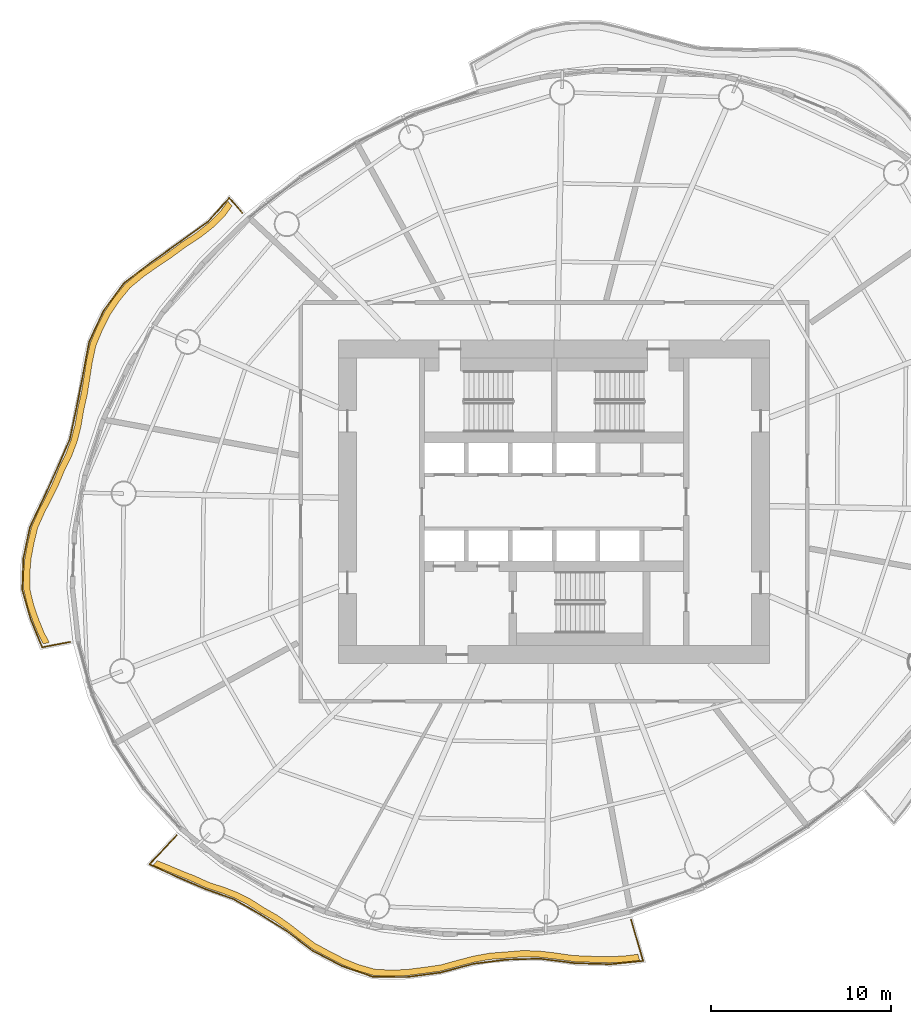
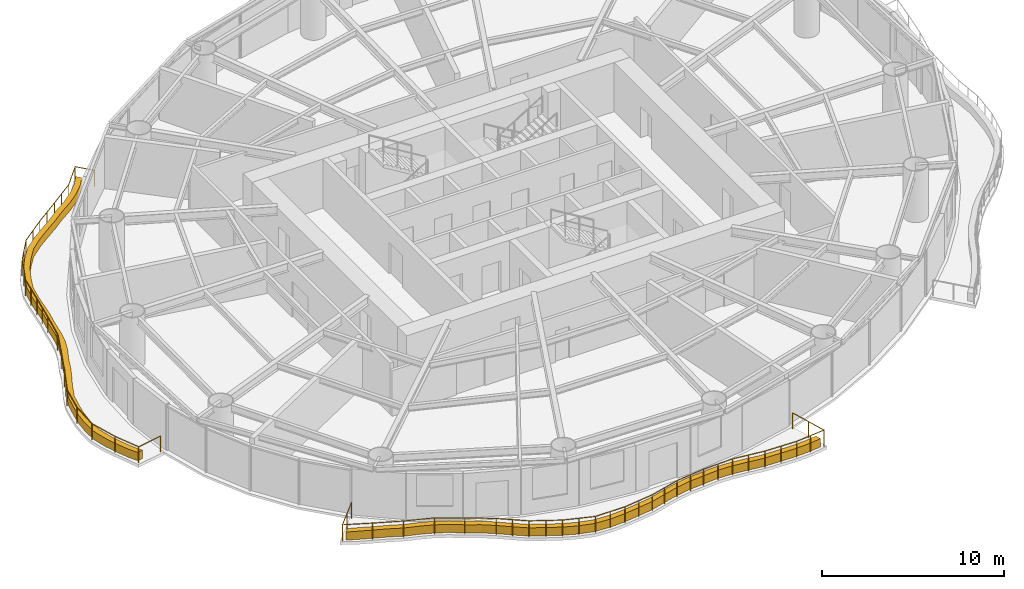
# One storey, part 12 of 14: 2 coverings, 2 railings.
"""IFC4 building model written with IfcOpenShell, lengths in metres."""

import ifcopenshell
import ifcopenshell.guid

model = None  # the IFC model being written
_history = None  # IfcOwnerHistory: only IFC2X3 demands one
_inside = {}  # id of a spatial element -> (the spatial element, [elements in it])
_under = {}  # id of a project, library or spatial element -> (it, [spatial elements below it])
_declared = {}  # id of a project -> (the project, [libraries it declares])
_typed = {}  # id of a type object -> (the type object, [elements of that type])
_made_of = {}  # id of a material, layer set ... -> (it, [elements and type objects made of it])


def new_model(schema):
    """Start an empty IFC model of exactly this schema.

    Asked for "IFC4X3", IfcOpenShell would pick the latest addendum, in which some entities
    have other attributes; the version numbers below select the first issue.
    IFC2X3 requires an IfcOwnerHistory on every rooted entity: one is made here for all.
    """
    global model, _history
    if schema == "IFC4X3":
        model = ifcopenshell.file(schema_version=(4, 3, 0, 0))
    else:
        model = ifcopenshell.file(schema=schema)
    _inside.clear()
    _under.clear()
    _declared.clear()
    _typed.clear()
    _made_of.clear()
    _history = None
    if model.schema == "IFC2X3":
        org = make("IfcOrganization", Name="unknown")
        user = make(
            "IfcPersonAndOrganization",
            ThePerson=make("IfcPerson", FamilyName="unknown"),
            TheOrganization=org,
        )
        app = make(
            "IfcApplication",
            ApplicationDeveloper=org,
            Version="unknown",
            ApplicationFullName="unknown",
            ApplicationIdentifier="unknown",
        )
        _history = make(
            "IfcOwnerHistory",
            OwningUser=user,
            OwningApplication=app,
            ChangeAction="ADDED",
            CreationDate=0,
        )
    return model


def make(cls, **values):
    """One entity of the class cls with the attributes given. An attribute that is None is left unset."""
    return model.create_entity(
        cls, **{name: value for name, value in values.items() if value is not None}
    )


def rooted(cls, **values):
    """An entity with a GlobalId (a new one), such as an element, a storey or a relation."""
    return make(cls, GlobalId=ifcopenshell.guid.new(), OwnerHistory=_history, **values)


def si_unit(unit_type, name, prefix=None):
    """IfcSIUnit, for example si_unit("LENGTHUNIT", "METRE", prefix="MILLI")."""
    return make("IfcSIUnit", UnitType=unit_type, Prefix=prefix, Name=name)


def assignment(units):
    """IfcUnitAssignment: the units of a project."""
    return None if units is None else make("IfcUnitAssignment", Units=units)


def point(xyz):
    """IfcCartesianPoint."""
    return None if xyz is None else make("IfcCartesianPoint", Coordinates=xyz)


def direction(xyz):
    """IfcDirection."""
    return None if xyz is None else make("IfcDirection", DirectionRatios=xyz)


def frame(location, z_axis=None, x_axis=None):
    """IfcAxis2Placement3D, a coordinate frame: its origin and axes. An axis left out is left unset."""
    return make(
        "IfcAxis2Placement3D",
        Location=point(location),
        Axis=direction(z_axis),
        RefDirection=direction(x_axis),
    )


def frame_2d(location, x_axis=None):
    """IfcAxis2Placement2D, a coordinate frame in the plane: its origin and x axis."""
    return make(
        "IfcAxis2Placement2D", Location=point(location), RefDirection=direction(x_axis)
    )


def origin():
    """The frame at (0, 0, 0) with its axes left unset."""
    return frame((0.0, 0.0, 0.0))


def origin_2d():
    """The frame at (0, 0) in the plane with its x axis left unset."""
    return frame_2d((0.0, 0.0))


def place(relative_to, where):
    """IfcLocalPlacement: puts the frame where relative to a parent placement (None: the world)."""
    return make(
        "IfcLocalPlacement", PlacementRelTo=relative_to, RelativePlacement=where
    )


def context(
    kind, dimensions, precision=None, world=None, true_north=None, identifier=None
):
    """IfcGeometricRepresentationContext, for example the 3D "Model" context."""
    return make(
        "IfcGeometricRepresentationContext",
        ContextIdentifier=identifier,
        ContextType=kind,
        CoordinateSpaceDimension=dimensions,
        Precision=precision,
        WorldCoordinateSystem=world,
        TrueNorth=true_north,
    )


def subcontext(parent, identifier, kind, view, scale=None):
    """IfcGeometricRepresentationSubContext, for example "Body" below "Model"."""
    return make(
        "IfcGeometricRepresentationSubContext",
        ContextIdentifier=identifier,
        ContextType=kind,
        ParentContext=parent,
        TargetScale=scale,
        TargetView=view,
    )


def project(units=None, contexts=None):
    """IfcProject with its units and contexts."""
    return rooted(
        "IfcProject",
        Name="project",
        RepresentationContexts=contexts,
        UnitsInContext=assignment(units),
    )


def spatial(cls, under=None, at=None, **own):
    """A site, building, storey or space (cls), placed at a placement, below another one or the project."""
    s = rooted(cls, ObjectPlacement=at, **own)
    if under is not None:
        _under.setdefault(under.id(), (under, []))[1].append(s)
    return s


def polyline(points):
    """IfcPolyline through the points."""
    return make("IfcPolyline", Points=[point(p) for p in points])


def profile(cls, at=None, kind="AREA", **sizes):
    """A parametric profile (cls). Its sizes go by their IFC names, for example OverallWidth=200.0."""
    return make(cls, ProfileType=kind, Position=at, **sizes)


def circle(**sizes):
    """IfcCircleProfileDef."""
    return profile("IfcCircleProfileDef", **sizes)


def outline(outer, holes=None, kind="AREA"):
    """IfcArbitraryClosedProfileDef: a profile drawn as a closed curve; with holes, ...WithVoids."""
    if holes is None:
        return make("IfcArbitraryClosedProfileDef", ProfileType=kind, OuterCurve=outer)
    return make(
        "IfcArbitraryProfileDefWithVoids",
        ProfileType=kind,
        OuterCurve=outer,
        InnerCurves=holes,
    )


def extrude(swept, where, along, depth):
    """IfcExtrudedAreaSolid: the profile swept, set in the frame where, extruded along a direction by depth."""
    return make(
        "IfcExtrudedAreaSolid",
        SweptArea=swept,
        Position=where,
        ExtrudedDirection=direction(along),
        Depth=depth,
    )


def shape(context_of_items, identifier, shape_type, items):
    """IfcShapeRepresentation: the items that make up one representation, for example the "Body"."""
    return make(
        "IfcShapeRepresentation",
        ContextOfItems=context_of_items,
        RepresentationIdentifier=identifier,
        RepresentationType=shape_type,
        Items=items,
    )


def material(Name=None, Category=None):
    """IfcMaterial."""
    return make("IfcMaterial", Name=Name, Category=Category)


def made_of(thing, what):
    """Note that an element or type object is made of a material, layer set ...; save() writes the relation."""
    if what is not None:
        _made_of.setdefault(what.id(), (what, []))[1].append(thing)
    return thing


def type_object(cls, material=None, **own):
    """A type object (cls), such as IfcWallType, which elements share."""
    return made_of(rooted(cls, **own), material)


def element(
    cls,
    number,
    at=None,
    inside=None,
    cuts=None,
    type_object=None,
    material=None,
    context=None,
    identifier="Body",
    shape_type=None,
    held_by="IfcProductDefinitionShape",
    body=None,
    shapes=None,
    **own,
):
    """One element of the class cls, such as IfcWall. Its Tag is "e" and its number.

    at: its placement. inside: the storey or other place that contains it. cuts: it is an
    opening in that element (IfcRelVoidsElement). A single representation is given by context,
    identifier, shape_type and body (its items); several are given by shapes. held_by: the class
    of the entity that holds the representations. save() writes the other relations.
    """
    e = rooted(cls, Tag="e%d" % number, ObjectPlacement=at, **own)
    if body is not None:
        shapes = [shape(context, identifier, shape_type, body)]
    if shapes is not None:
        e.Representation = make(held_by, Representations=shapes)
    if inside is not None:
        _inside.setdefault(inside.id(), (inside, []))[1].append(e)
    if cuts is not None:
        rooted(
            "IfcRelVoidsElement", RelatingBuildingElement=cuts, RelatedOpeningElement=e
        )
    if type_object is not None:
        _typed.setdefault(type_object.id(), (type_object, []))[1].append(e)
    return made_of(e, material)


def aggregate(whole, parts):
    """IfcRelAggregates: a whole, such as a stair, and the parts it consists of."""
    return rooted("IfcRelAggregates", RelatingObject=whole, RelatedObjects=parts)


def save(model, path):
    """Write the relations noted so far, then the file.

    IfcRelAggregates (storeys below a building ...), IfcRelContainedInSpatialStructure (elements
    in a storey), IfcRelDefinesByType, IfcRelAssociatesMaterial and IfcRelDeclares: one each for
    every whole, place, type object, material and project.
    """
    for whole, parts in _under.values():
        aggregate(whole, parts)
    for where, things in _inside.values():
        rooted(
            "IfcRelContainedInSpatialStructure",
            RelatedElements=things,
            RelatingStructure=where,
        )
    for kind, things in _typed.values():
        rooted("IfcRelDefinesByType", RelatedObjects=things, RelatingType=kind)
    for what, things in _made_of.values():
        rooted("IfcRelAssociatesMaterial", RelatedObjects=things, RelatingMaterial=what)
    for by, libraries in _declared.values():
        rooted("IfcRelDeclares", RelatingContext=by, RelatedDefinitions=libraries)
    model.write(path)


model = new_model("IFC4")

# Units and contexts
model_context = context("Model", 3, precision=1e-05, world=origin(), true_north=direction((0.0, 1.0)))
body_context = subcontext(model_context, "Body", "Model", "MODEL_VIEW")
ifc_project = project(units=[si_unit("LENGTHUNIT", "METRE"), si_unit("AREAUNIT", "SQUARE_METRE"), si_unit("VOLUMEUNIT", "CUBIC_METRE"), si_unit("PLANEANGLEUNIT", "RADIAN"), si_unit("MASSUNIT", "GRAM", prefix="KILO")], contexts=[model_context])

# Site, building, storey
site_placement = place(None, origin())
site = spatial("IfcSite", under=ifc_project, at=site_placement, CompositionType="ELEMENT")
building_placement = place(site_placement, origin())
building = spatial("IfcBuilding", under=site, at=building_placement, Name="Vermilion Reach Broadcast Tower", CompositionType="ELEMENT")
storey_placement = place(building_placement, frame((0.0, 0.0, 150.60009765625)))
storey = spatial("IfcBuildingStorey", under=building, at=storey_placement, Name="L35", CompositionType="ELEMENT", Elevation=150.60009765625)

# Coverings
ifc_material_1 = material(Name="Planting soil and greenery")
covering_type = type_object("IfcCoveringType", Name="Balcony PLANTER", PredefinedType="USERDEFINED", material=ifc_material_1)
placement = place(storey_placement, origin())
element("IfcCovering", 1, at=placement, inside=storey, type_object=covering_type, Name="PLANTER L35 group 2", ObjectType="PLANTER", PredefinedType="USERDEFINED", context=body_context, shape_type="SweptSolid", body=[
    extrude(outline(polyline([(-24.15869140625, 16.739501953125), (-24.558837890625, 16.187255859375), (-25.20068359375, 15.546142578125), (-25.917236328125, 14.9814453125), (-26.752685546875, 14.4296875), (-27.55615234375, 13.8349609375), (-28.330322265625, 13.314208984375), (-29.09130859375, 12.78271484375), (-29.8955078125, 12.11181640625), (-30.533203125, 11.31982421875), (-31.015869140625, 10.590087890625), (-31.414306640625, 9.806640625), (-31.81103515625, 8.863525390625), (-32.029296875, 7.87255859375), (-32.164306640625, 6.990234375), (-32.3056640625, 6.111083984375), (-32.519287109375, 5.177978515625), (-32.673095703125, 4.26806640625), (-32.883056640625, 3.46044921875), (-33.1796875, 2.681396484375), (-33.584228515625, 1.850830078125), (-33.931640625, 1.005859375), (-34.306884765625, 0.249755859375), (-34.695556640625, -0.503662109375), (-35.095947265625, -1.408447265625), (-35.31298828125, -2.343017578125), (-35.46044921875, -3.129638671875), (-35.530029296875, -3.919189453125), (-35.5244140625, -4.891357421875), (-35.301513671875, -5.827392578125), (-35.0380859375, -6.578125), (-34.734619140625, -7.324462890625), (-34.434814453125, -7.898193359375), (-34.091064453125, -7.833251953125), (-34.38671875, -7.2861328125), (-34.6904296875, -6.539794921875), (-34.95361328125, -5.788818359375), (-35.174560546875, -4.87890625), (-35.18017578125, -3.932861328125), (-35.11083984375, -3.143310546875), (-34.96337890625, -2.356689453125), (-34.748046875, -1.447021484375), (-34.351318359375, -0.56689453125), (-33.962646484375, 0.186767578125), (-33.58740234375, 0.94287109375), (-33.2451171875, 1.7646484375), (-32.846923828125, 2.572265625), (-32.55029296875, 3.3515625), (-32.340576171875, 4.1591796875), (-32.1943359375, 5.0478515625), (-31.98974609375, 5.96044921875), (-31.848388671875, 6.839599609375), (-31.71337890625, 7.721923828125), (-31.5048828125, 8.69384765625), (-31.119140625, 9.61865234375), (-30.720703125, 10.402099609375), (-30.238037109375, 11.1318359375), (-29.61181640625, 11.90673828125), (-28.820068359375, 12.5615234375), (-28.05908203125, 13.093017578125), (-27.284912109375, 13.61376953125), (-26.494384765625, 14.193603515625), (-25.672607421875, 14.731201171875), (-24.9560546875, 15.2958984375), (-24.314208984375, 15.936767578125), (-23.92822265625, 16.47607421875), (-24.15869140625, 16.739501953125)])), origin(), (0.0, 0.0, 1.0), 0.5498046875),
])
element("IfcCovering", 2, at=placement, inside=storey, type_object=covering_type, Name="PLANTER L35 group 3", ObjectType="PLANTER", PredefinedType="USERDEFINED", context=body_context, shape_type="SweptSolid", body=[
    extrude(outline(polyline([(-28.327880859375, -20.22802734375), (-27.703857421875, -20.489990234375), (-26.95947265625, -20.80078125), (-26.20703125, -21.101318359375), (-25.382080078125, -21.479248046875), (-24.513427734375, -21.7685546875), (-23.76708984375, -22.06005859375), (-23.0595703125, -22.418212890625), (-22.326904296875, -22.887451171875), (-21.54736328125, -23.330322265625), (-20.864990234375, -23.807373046875), (-20.19921875, -24.325439453125), (-19.422119140625, -24.906005859375), (-18.55029296875, -25.371826171875), (-17.7900390625, -25.761474609375), (-17.01220703125, -26.08203125), (-16.060546875, -26.357177734375), (-15.04833984375, -26.416748046875), (-14.18212890625, -26.370849609375), (-13.3076171875, -26.2587890625), (-12.32177734375, -26.122802734375), (-11.339111328125, -25.85888671875), (-10.464599609375, -25.630615234375), (-9.590087890625, -25.470458984375), (-8.65380859375, -25.401123046875), (-7.7021484375, -25.322021484375), (-6.7998046875, -25.34912109375), (-5.887939453125, -25.455322265625), (-4.875732421875, -25.597412109375), (-3.837158203125, -25.63330078125), (-2.899169921875, -25.65869140625), (-1.977294921875, -25.615478515625), (-1.23876953125, -25.51611328125), (-1.337646484375, -25.180419921875), (-2.0576171875, -25.27490234375), (-2.979248046875, -25.318115234375), (-3.917236328125, -25.292724609375), (-4.9365234375, -25.2529296875), (-5.929443359375, -25.107666015625), (-6.841064453125, -25.001708984375), (-7.743408203125, -24.974365234375), (-8.6748046875, -25.0517578125), (-9.590576171875, -25.120361328125), (-10.46533203125, -25.28076171875), (-11.33984375, -25.5087890625), (-12.301025390625, -25.7734375), (-13.265625, -25.9111328125), (-14.139892578125, -26.0234375), (-15.00634765625, -26.0693359375), (-15.99609375, -26.01318359375), (-16.926025390625, -25.742919921875), (-17.703857421875, -25.42236328125), (-18.464111328125, -25.032470703125), (-19.31298828125, -24.5732421875), (-20.068115234375, -24.0009765625), (-20.73388671875, -23.48291015625), (-21.416259765625, -23.005859375), (-22.173095703125, -22.572998046875), (-22.8837890625, -22.11572265625), (-23.59130859375, -21.75732421875), (-24.33740234375, -21.4658203125), (-25.184326171875, -21.1904296875), (-25.98828125, -20.828369140625), (-26.74072265625, -20.527587890625), (-27.485107421875, -20.216796875), (-28.088623046875, -19.972412109375), (-28.327880859375, -20.22802734375)])), origin(), (0.0, 0.0, 1.0), 0.5498046875),
])

# Railings
ifc_material_2 = material(Name="Stainless steel 316 balustrade", Category="steel")
railing_type = type_object("IfcRailingType", Name="Balcony guard 1100", PredefinedType="BALUSTRADE", material=ifc_material_2)
railing_1_placement = place(storey_placement, frame((-23.34765625, 16.085693359375, 0.0)))
element("IfcRailing", 3, at=railing_1_placement, inside=storey, type_object=railing_type, Name="Balcony guard L35 group 2", PredefinedType="BALUSTRADE", context=body_context, shape_type="SweptSolid", body=[
    extrude(circle(Radius=0.02490234375, at=origin_2d()), frame((0.0, 0.0, 1.0751953125), z_axis=(-0.658628487529, 0.752468281999, 0.0), x_axis=(-0.752468281999, -0.658628487529, 0.0)), (0.0, 0.0, 1.0), 1.1162109375),
    extrude(circle(Radius=0.02490234375, at=origin_2d()), frame((-0.735107421875, 0.83984375, 1.0751953125), z_axis=(-0.66388375835, -0.747835781037, 0.0), x_axis=(0.747835781037, -0.66388375835, 0.0)), (0.0, 0.0, 1.0), 1.76806640625),
    extrude(circle(Radius=0.02490234375, at=origin_2d()), frame((-1.908935546875, -0.482421875, 1.0751953125), z_axis=(-0.811558505752, -0.584271162854, 0.0), x_axis=(0.584271162854, -0.811558505752, 0.0)), (0.0, 0.0, 1.0), 1.916259765625),
    extrude(circle(Radius=0.02490234375, at=origin_2d()), frame((-3.464111328125, -1.60205078125, 1.0751953125), z_axis=(-0.816187977244, -0.577786453461, 0.0), x_axis=(0.577786453461, -0.816187977244, 0.0)), (0.0, 0.0, 1.0), 1.9365234375),
    extrude(circle(Radius=0.02490234375, at=origin_2d()), frame((-5.044677734375, -2.720947265625, 1.0751953125), z_axis=(-0.792623989105, -0.60971076085, 0.0), x_axis=(0.60971076085, -0.792623989105, 0.0)), (0.0, 0.0, 1.0), 1.97802734375),
    extrude(circle(Radius=0.02490234375, at=origin_2d()), frame((-6.612548828125, -3.927001953125, 1.0751953125), z_axis=(-0.592820911064, -0.80533432027, 0.0), x_axis=(0.80533432027, -0.592820911064, 0.0)), (0.0, 0.0, 1.0), 1.89453125),
    extrude(circle(Radius=0.02490234375, at=origin_2d()), frame((-7.735595703125, -5.45263671875, 1.0751953125), z_axis=(-0.41865194428, -0.908146766525, 0.0), x_axis=(0.908146766525, -0.41865194428, 0.0)), (0.0, 0.0, 1.0), 1.90576171875),
    extrude(circle(Radius=0.02490234375, at=origin_2d()), frame((-8.533447265625, -7.183349609375, 1.0751953125), z_axis=(-0.186031689527, -0.982543744823, 0.0), x_axis=(0.982543744823, -0.186031689527, 0.0)), (0.0, 0.0, 1.0), 1.910888671875),
    extrude(circle(Radius=0.02490234375, at=origin_2d()), frame((-8.888916015625, -9.060791015625, 1.0751953125), z_axis=(-0.192743037291, -0.981249265771, 0.0), x_axis=(0.981249265771, -0.192743037291, 0.0)), (0.0, 0.0, 1.0), 1.851806640625),
    extrude(circle(Radius=0.02490234375, at=origin_2d()), frame((-9.245849609375, -10.8779296875, 1.0751953125), z_axis=(-0.207568540549, -0.978220476669, 0.0), x_axis=(0.978220476669, -0.207568540549, 0.0)), (0.0, 0.0, 1.0), 1.7607421875),
    extrude(circle(Radius=0.02490234375, at=origin_2d()), frame((-9.611328125, -12.600341796875, 1.0751953125), z_axis=(-0.39911639981, -0.916900266879, 0.0), x_axis=(0.916900266879, -0.39911639981, 0.0)), (0.0, 0.0, 1.0), 1.760986328125),
    extrude(circle(Radius=0.02490234375, at=origin_2d()), frame((-10.314208984375, -14.215087890625, 1.0751953125), z_axis=(-0.410762238275, -0.91174249852, 0.0), x_axis=(0.91174249852, -0.410762238275, 0.0)), (0.0, 0.0, 1.0), 1.76171875),
    extrude(circle(Radius=0.02490234375, at=origin_2d()), frame((-11.037841796875, -15.8212890625, 1.0751953125), z_axis=(-0.428775622126, -0.903411017129, 0.0), x_axis=(0.903411017129, -0.428775622126, 0.0)), (0.0, 0.0, 1.0), 1.842041015625),
    extrude(circle(Radius=0.02490234375, at=origin_2d()), frame((-11.82763671875, -17.4853515625, 1.0751953125), z_axis=(-0.206930583697, -0.978355627331, 0.0), x_axis=(0.978355627331, -0.206930583697, 0.0)), (0.0, 0.0, 1.0), 1.764892578125),
    extrude(circle(Radius=0.02490234375, at=origin_2d()), frame((-12.19287109375, -19.212158203125, 1.0751953125), z_axis=(-0.036026321767, -0.999350841366, 0.0), x_axis=(0.999350841366, -0.036026321767, 0.0)), (0.0, 0.0, 1.0), 1.768798828125),
    extrude(circle(Radius=0.02490234375, at=origin_2d()), frame((-12.256591796875, -20.979736328125, 1.0751953125), z_axis=(0.276240211972, -0.961088625096, 0.0), x_axis=(0.961088625096, 0.276240211972, 0.0)), (0.0, 0.0, 1.0), 1.761474609375),
    extrude(circle(Radius=0.02490234375, at=origin_2d()), frame((-11.77001953125, -22.672607421875, 1.0751953125), z_axis=(0.382859085086, -0.923806755208, 0.0), x_axis=(0.923806755208, 0.382859085086, 0.0)), (0.0, 0.0, 1.0), 1.629150390625),
    extrude(circle(Radius=0.02490234375, at=origin_2d()), frame((-11.146240234375, -24.177734375, 1.0751953125), z_axis=(0.982522408787, 0.186144342466, 0.0), x_axis=(-0.186144342466, 0.982522408787, 0.0)), (0.0, 0.0, 1.0), 1.58837890625),
    extrude(circle(Radius=0.02490234375, at=origin_2d()), origin(), (0.0, 0.0, 1.0), 1.050048828125),
    extrude(circle(Radius=0.02490234375, at=origin_2d()), frame((-0.735107421875, 0.83984375, 0.0)), (0.0, 0.0, 1.0), 1.050048828125),
    extrude(circle(Radius=0.02490234375, at=origin_2d()), frame((-1.908935546875, -0.482421875, 0.0)), (0.0, 0.0, 1.0), 1.050048828125),
    extrude(circle(Radius=0.02490234375, at=origin_2d()), frame((-2.6865234375, -1.042236328125, 0.0)), (0.0, 0.0, 1.0), 1.050048828125),
    extrude(circle(Radius=0.02490234375, at=origin_2d()), frame((-3.464111328125, -1.60205078125, 0.0)), (0.0, 0.0, 1.0), 1.050048828125),
    extrude(circle(Radius=0.02490234375, at=origin_2d()), frame((-4.25439453125, -2.16162109375, 0.0)), (0.0, 0.0, 1.0), 1.050048828125),
    extrude(circle(Radius=0.02490234375, at=origin_2d()), frame((-5.044677734375, -2.720947265625, 0.0)), (0.0, 0.0, 1.0), 1.050048828125),
    extrude(circle(Radius=0.02490234375, at=origin_2d()), frame((-5.82861328125, -3.323974609375, 0.0)), (0.0, 0.0, 1.0), 1.050048828125),
    extrude(circle(Radius=0.02490234375, at=origin_2d()), frame((-6.612548828125, -3.927001953125, 0.0)), (0.0, 0.0, 1.0), 1.050048828125),
    extrude(circle(Radius=0.02490234375, at=origin_2d()), frame((-7.174072265625, -4.68994140625, 0.0)), (0.0, 0.0, 1.0), 1.050048828125),
    extrude(circle(Radius=0.02490234375, at=origin_2d()), frame((-7.735595703125, -5.45263671875, 0.0)), (0.0, 0.0, 1.0), 1.050048828125),
    extrude(circle(Radius=0.02490234375, at=origin_2d()), frame((-8.134521484375, -6.31787109375, 0.0)), (0.0, 0.0, 1.0), 1.050048828125),
    extrude(circle(Radius=0.02490234375, at=origin_2d()), frame((-8.533447265625, -7.183349609375, 0.0)), (0.0, 0.0, 1.0), 1.050048828125),
    extrude(circle(Radius=0.02490234375, at=origin_2d()), frame((-8.711181640625, -8.1220703125, 0.0)), (0.0, 0.0, 1.0), 1.050048828125),
    extrude(circle(Radius=0.02490234375, at=origin_2d()), frame((-8.888916015625, -9.060791015625, 0.0)), (0.0, 0.0, 1.0), 1.050048828125),
    extrude(circle(Radius=0.02490234375, at=origin_2d()), frame((-9.0673828125, -9.96923828125, 0.0)), (0.0, 0.0, 1.0), 1.050048828125),
    extrude(circle(Radius=0.02490234375, at=origin_2d()), frame((-9.245849609375, -10.8779296875, 0.0)), (0.0, 0.0, 1.0), 1.050048828125),
    extrude(circle(Radius=0.02490234375, at=origin_2d()), frame((-9.611328125, -12.600341796875, 0.0)), (0.0, 0.0, 1.0), 1.050048828125),
    extrude(circle(Radius=0.02490234375, at=origin_2d()), frame((-10.314208984375, -14.215087890625, 0.0)), (0.0, 0.0, 1.0), 1.050048828125),
    extrude(circle(Radius=0.02490234375, at=origin_2d()), frame((-11.037841796875, -15.8212890625, 0.0)), (0.0, 0.0, 1.0), 1.050048828125),
    extrude(circle(Radius=0.02490234375, at=origin_2d()), frame((-11.4326171875, -16.6533203125, 0.0)), (0.0, 0.0, 1.0), 1.050048828125),
    extrude(circle(Radius=0.02490234375, at=origin_2d()), frame((-11.82763671875, -17.4853515625, 0.0)), (0.0, 0.0, 1.0), 1.050048828125),
    extrude(circle(Radius=0.02490234375, at=origin_2d()), frame((-12.19287109375, -19.212158203125, 0.0)), (0.0, 0.0, 1.0), 1.050048828125),
    extrude(circle(Radius=0.02490234375, at=origin_2d()), frame((-12.256591796875, -20.979736328125, 0.0)), (0.0, 0.0, 1.0), 1.050048828125),
    extrude(circle(Radius=0.02490234375, at=origin_2d()), frame((-11.77001953125, -22.672607421875, 0.0)), (0.0, 0.0, 1.0), 1.050048828125),
    extrude(circle(Radius=0.02490234375, at=origin_2d()), frame((-11.146240234375, -24.177734375, 0.0)), (0.0, 0.0, 1.0), 1.050048828125),
    extrude(circle(Radius=0.02490234375, at=origin_2d()), frame((-9.585693359375, -23.882080078125, 0.0)), (0.0, 0.0, 1.0), 1.050048828125),
])
railing_2_placement = place(storey_placement, frame((-27.014404296875, -18.56298828125, 0.0)))
element("IfcRailing", 4, at=railing_2_placement, inside=storey, type_object=railing_type, Name="Balcony guard L35 group 3", PredefinedType="BALUSTRADE", context=body_context, shape_type="SweptSolid", body=[
    extrude(circle(Radius=0.02490234375, at=origin_2d()), frame((0.0, 0.0, 1.0751953125), z_axis=(-0.683609898867, -0.729847591056, 0.0), x_axis=(0.729847591056, -0.683609898867, 0.0)), (0.0, 0.0, 1.0), 2.20703125),
    extrude(circle(Radius=0.02490234375, at=origin_2d()), frame((-1.5087890625, -1.61083984375, 1.0751953125), z_axis=(0.910099854312, -0.41438901431, 0.0), x_axis=(0.41438901431, 0.910099854312, 0.0)), (0.0, 0.0, 1.0), 1.6630859375),
    extrude(circle(Radius=0.02490234375, at=origin_2d()), frame((0.0048828125, -2.300048828125, 1.0751953125), z_axis=(0.918300108372, -0.395884971886, 0.0), x_axis=(0.395884971886, 0.918300108372, 0.0)), (0.0, 0.0, 1.0), 1.72314453125),
    extrude(circle(Radius=0.02490234375, at=origin_2d()), frame((1.587158203125, -2.982177734375, 1.0751953125), z_axis=(0.940733682798, -0.33914618979, 0.0), x_axis=(0.33914618979, 0.940733682798, 0.0)), (0.0, 0.0, 1.0), 1.721923828125),
    extrude(circle(Radius=0.02490234375, at=origin_2d()), frame((3.20703125, -3.566162109375, 1.0751953125), z_axis=(0.867123043937, -0.498093993814, 0.0), x_axis=(0.498093993814, 0.867123043937, 0.0)), (0.0, 0.0, 1.0), 1.66650390625),
    extrude(circle(Radius=0.02490234375, at=origin_2d()), frame((4.652099609375, -4.396240234375, 1.0751953125), z_axis=(0.846618414709, -0.532200394471, 0.0), x_axis=(0.532200394471, 0.846618414709, 0.0)), (0.0, 0.0, 1.0), 1.733154296875),
    extrude(circle(Radius=0.02490234375, at=origin_2d()), frame((6.119384765625, -5.318603515625, 1.0751953125), z_axis=(0.796247542896, -0.604970950073, 0.0), x_axis=(0.604970950073, 0.796247542896, 0.0)), (0.0, 0.0, 1.0), 1.81884765625),
    extrude(circle(Radius=0.02490234375, at=origin_2d()), frame((7.567626953125, -6.4189453125, 1.0751953125), z_axis=(0.885893592874, -0.463888501802, 0.0), x_axis=(0.463888501802, 0.885893592874, 0.0)), (0.0, 0.0, 1.0), 1.847900390625),
    extrude(circle(Radius=0.02490234375, at=origin_2d()), frame((9.20458984375, -7.276123046875, 1.0751953125), z_axis=(0.945618812252, -0.325276900372, 0.0), x_axis=(0.325276900372, 0.945618812252, 0.0)), (0.0, 0.0, 1.0), 1.83447265625),
    extrude(circle(Radius=0.02490234375, at=origin_2d()), frame((10.939208984375, -7.872802734375, 1.0751953125), z_axis=(0.999969760059, -0.007776822502, 0.0), x_axis=(0.007776822502, 0.999969760059, 0.0)), (0.0, 0.0, 1.0), 1.883544921875),
    extrude(circle(Radius=0.02490234375, at=origin_2d()), frame((12.82275390625, -7.887451171875, 1.0751953125), z_axis=(0.991290115801, 0.131696265384, 0.0), x_axis=(-0.131696265384, 0.991290115801, 0.0)), (0.0, 0.0, 1.0), 1.881591796875),
    extrude(circle(Radius=0.02490234375, at=origin_2d()), frame((14.68798828125, -7.6396484375, 1.0751953125), z_axis=(0.966819509451, 0.255460439489, 0.0), x_axis=(-0.255460439489, 0.966819509451, 0.0)), (0.0, 0.0, 1.0), 1.92578125),
    extrude(circle(Radius=0.02490234375, at=origin_2d()), frame((16.5498046875, -7.147705078125, 1.0751953125), z_axis=(0.992089992996, 0.125528665243, 0.0), x_axis=(-0.125528665243, 0.992089992996, 0.0)), (0.0, 0.0, 1.0), 1.830078125),
    extrude(circle(Radius=0.02490234375, at=origin_2d()), frame((18.365478515625, -6.91796875, 1.0751953125), z_axis=(0.999601456641, 0.028229911097, 0.0), x_axis=(-0.028229911097, 0.999601456641, 0.0)), (0.0, 0.0, 1.0), 1.859375),
    extrude(circle(Radius=0.02490234375, at=origin_2d()), frame((20.22412109375, -6.865478515625, 1.0751953125), z_axis=(0.99184507478, -0.127449392442, 0.0), x_axis=(0.127449392442, 0.99184507478, 0.0)), (0.0, 0.0, 1.0), 1.9443359375),
    extrude(circle(Radius=0.02490234375, at=origin_2d()), frame((22.152587890625, -7.11328125, 1.0751953125), z_axis=(0.999536988053, -0.030427118074, 0.0), x_axis=(0.030427118074, 0.999536988053, 0.0)), (0.0, 0.0, 1.0), 1.98193359375),
    extrude(circle(Radius=0.02490234375, at=origin_2d()), frame((24.133544921875, -7.173583984375, 1.0751953125), z_axis=(0.99499264455, 0.099948173026, 0.0), x_axis=(-0.099948173026, 0.99499264455, 0.0)), (0.0, 0.0, 1.0), 1.84912109375),
    extrude(circle(Radius=0.02490234375, at=origin_2d()), frame((25.973388671875, -6.98876953125, 1.0751953125), z_axis=(-0.282305014595, 0.959324699325, 0.0), x_axis=(-0.959324699325, -0.282305014595, 0.0)), (0.0, 0.0, 1.0), 2.382568359375),
    extrude(circle(Radius=0.02490234375, at=origin_2d()), origin(), (0.0, 0.0, 1.0), 1.050048828125),
    extrude(circle(Radius=0.02490234375, at=origin_2d()), frame((-0.75439453125, -0.805419921875, 0.0)), (0.0, 0.0, 1.0), 1.050048828125),
    extrude(circle(Radius=0.02490234375, at=origin_2d()), frame((-1.5087890625, -1.61083984375, 0.0)), (0.0, 0.0, 1.0), 1.050048828125),
    extrude(circle(Radius=0.02490234375, at=origin_2d()), frame((0.0048828125, -2.300048828125, 0.0)), (0.0, 0.0, 1.0), 1.050048828125),
    extrude(circle(Radius=0.02490234375, at=origin_2d()), frame((1.587158203125, -2.982177734375, 0.0)), (0.0, 0.0, 1.0), 1.050048828125),
    extrude(circle(Radius=0.02490234375, at=origin_2d()), frame((3.20703125, -3.566162109375, 0.0)), (0.0, 0.0, 1.0), 1.050048828125),
    extrude(circle(Radius=0.02490234375, at=origin_2d()), frame((4.652099609375, -4.396240234375, 0.0)), (0.0, 0.0, 1.0), 1.050048828125),
    extrude(circle(Radius=0.02490234375, at=origin_2d()), frame((6.119384765625, -5.318603515625, 0.0)), (0.0, 0.0, 1.0), 1.050048828125),
    extrude(circle(Radius=0.02490234375, at=origin_2d()), frame((6.843505859375, -5.86865234375, 0.0)), (0.0, 0.0, 1.0), 1.050048828125),
    extrude(circle(Radius=0.02490234375, at=origin_2d()), frame((7.567626953125, -6.4189453125, 0.0)), (0.0, 0.0, 1.0), 1.050048828125),
    extrude(circle(Radius=0.02490234375, at=origin_2d()), frame((8.38623046875, -6.84765625, 0.0)), (0.0, 0.0, 1.0), 1.050048828125),
    extrude(circle(Radius=0.02490234375, at=origin_2d()), frame((9.20458984375, -7.276123046875, 0.0)), (0.0, 0.0, 1.0), 1.050048828125),
    extrude(circle(Radius=0.02490234375, at=origin_2d()), frame((10.07177734375, -7.574462890625, 0.0)), (0.0, 0.0, 1.0), 1.050048828125),
    extrude(circle(Radius=0.02490234375, at=origin_2d()), frame((10.939208984375, -7.872802734375, 0.0)), (0.0, 0.0, 1.0), 1.050048828125),
    extrude(circle(Radius=0.02490234375, at=origin_2d()), frame((11.880859375, -7.880126953125, 0.0)), (0.0, 0.0, 1.0), 1.050048828125),
    extrude(circle(Radius=0.02490234375, at=origin_2d()), frame((12.82275390625, -7.887451171875, 0.0)), (0.0, 0.0, 1.0), 1.050048828125),
    extrude(circle(Radius=0.02490234375, at=origin_2d()), frame((13.75537109375, -7.763671875, 0.0)), (0.0, 0.0, 1.0), 1.050048828125),
    extrude(circle(Radius=0.02490234375, at=origin_2d()), frame((14.68798828125, -7.6396484375, 0.0)), (0.0, 0.0, 1.0), 1.050048828125),
    extrude(circle(Radius=0.02490234375, at=origin_2d()), frame((15.618896484375, -7.3935546875, 0.0)), (0.0, 0.0, 1.0), 1.050048828125),
    extrude(circle(Radius=0.02490234375, at=origin_2d()), frame((16.5498046875, -7.147705078125, 0.0)), (0.0, 0.0, 1.0), 1.050048828125),
    extrude(circle(Radius=0.02490234375, at=origin_2d()), frame((17.45751953125, -7.03271484375, 0.0)), (0.0, 0.0, 1.0), 1.050048828125),
    extrude(circle(Radius=0.02490234375, at=origin_2d()), frame((18.365478515625, -6.91796875, 0.0)), (0.0, 0.0, 1.0), 1.050048828125),
    extrude(circle(Radius=0.02490234375, at=origin_2d()), frame((19.294921875, -6.8916015625, 0.0)), (0.0, 0.0, 1.0), 1.050048828125),
    extrude(circle(Radius=0.02490234375, at=origin_2d()), frame((20.22412109375, -6.865478515625, 0.0)), (0.0, 0.0, 1.0), 1.050048828125),
    extrude(circle(Radius=0.02490234375, at=origin_2d()), frame((21.1884765625, -6.9892578125, 0.0)), (0.0, 0.0, 1.0), 1.050048828125),
    extrude(circle(Radius=0.02490234375, at=origin_2d()), frame((22.152587890625, -7.11328125, 0.0)), (0.0, 0.0, 1.0), 1.050048828125),
    extrude(circle(Radius=0.02490234375, at=origin_2d()), frame((23.14306640625, -7.1435546875, 0.0)), (0.0, 0.0, 1.0), 1.050048828125),
    extrude(circle(Radius=0.02490234375, at=origin_2d()), frame((24.133544921875, -7.173583984375, 0.0)), (0.0, 0.0, 1.0), 1.050048828125),
    extrude(circle(Radius=0.02490234375, at=origin_2d()), frame((25.053466796875, -7.0810546875, 0.0)), (0.0, 0.0, 1.0), 1.050048828125),
    extrude(circle(Radius=0.02490234375, at=origin_2d()), frame((25.973388671875, -6.98876953125, 0.0)), (0.0, 0.0, 1.0), 1.050048828125),
    extrude(circle(Radius=0.02490234375, at=origin_2d()), frame((25.63720703125, -5.845947265625, 0.0)), (0.0, 0.0, 1.0), 1.050048828125),
    extrude(circle(Radius=0.02490234375, at=origin_2d()), frame((25.30078125, -4.703125, 0.0)), (0.0, 0.0, 1.0), 1.050048828125),
])

save(model, "model.ifc")
